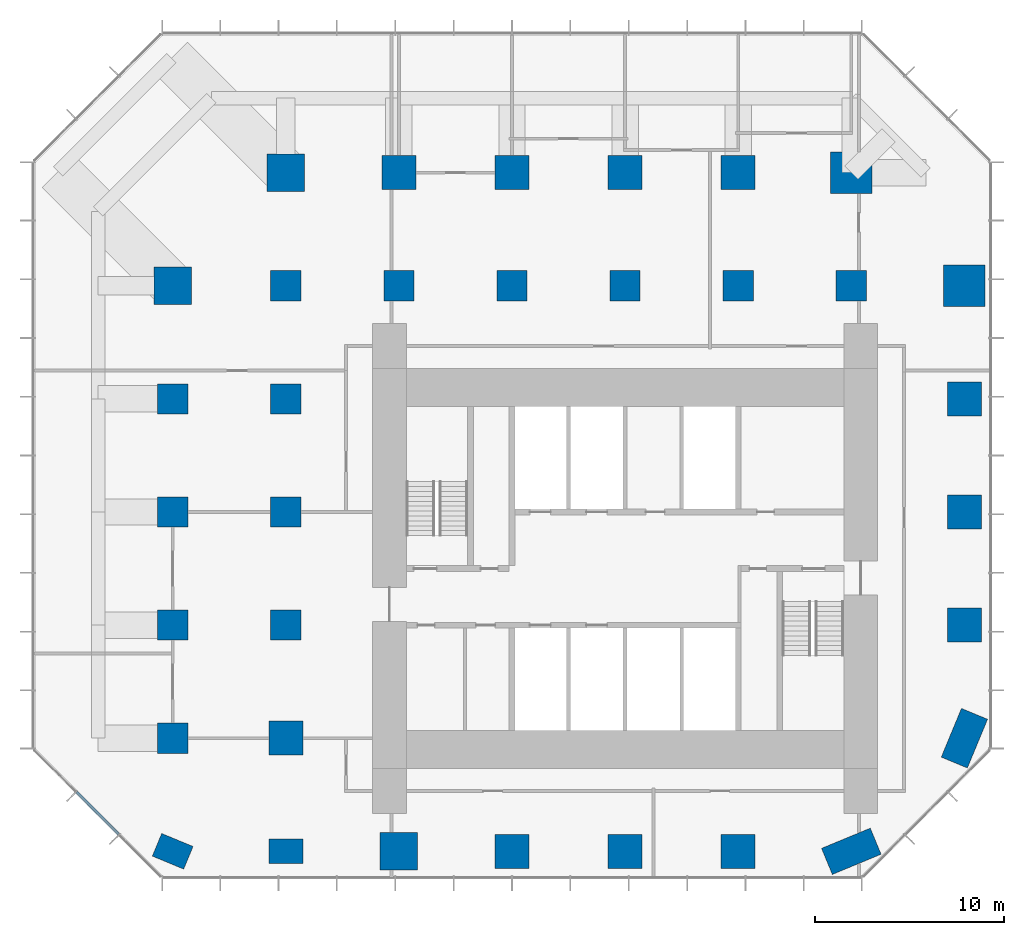
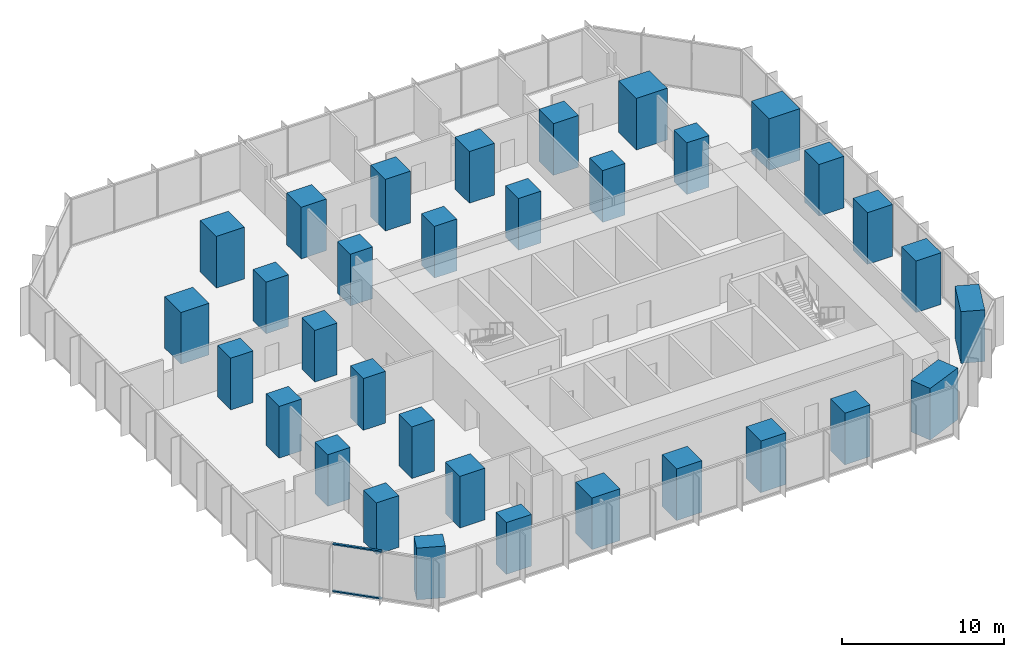
# One storey, part 1 of 11: 33 columns, 2 members, 1 element without a shape of its own.
"""IFC4 building model written with IfcOpenShell, lengths in metres."""

from ifc_helpers import new_model, si_unit, direction, frame, origin, origin_2d, place, context, subcontext, project, spatial, rectangle, extrude, material, layer, layer_set, material_profile, profile_set, type_object, element, aggregate, save


model = new_model("IFC4")

# Units and contexts
model_context = context("Model", 3, precision=1e-05, world=origin(), true_north=direction((0.0, 1.0)))
body_context = subcontext(model_context, "Body", "Model", "MODEL_VIEW")
ifc_project = project(units=[si_unit("LENGTHUNIT", "METRE"), si_unit("AREAUNIT", "SQUARE_METRE"), si_unit("VOLUMEUNIT", "CUBIC_METRE"), si_unit("PLANEANGLEUNIT", "RADIAN"), si_unit("MASSUNIT", "GRAM", prefix="KILO")], contexts=[model_context])

# Site, building, storey
site_placement = place(None, origin())
site = spatial("IfcSite", under=ifc_project, at=site_placement, CompositionType="ELEMENT")
building_placement = place(site_placement, origin())
building = spatial("IfcBuilding", under=site, at=building_placement, Name="Highveld Stack Headquarters", CompositionType="ELEMENT")
storey_placement = place(building_placement, frame((0.0, 0.0, 93.800048828125)))
storey = spatial("IfcBuildingStorey", under=building, at=storey_placement, Name="L22", CompositionType="ELEMENT", Elevation=93.800048828125)

# Columns
ifc_material_1 = material(Name="Concrete C60/75", Category="concrete")
ifc_material_profile_1 = material_profile(ifc_material_1, rectangle(XDim=1.60009765625, YDim=1.60009765625, at=origin_2d()), Name="RC 1600x1600")
ifc_profile_set_1 = profile_set([ifc_material_profile_1], Name="Concrete C60/75")
column_type_1 = type_object("IfcColumnType", Name="COLUMN RC 1600x1600 C60/75", PredefinedType="COLUMN", material=ifc_profile_set_1)
for number, where, z_axis, x_axis, name in (
    (1, (-18.0, -6.0, 0.0), (0.0, 0.0, 1.0), (1.0, 0.0, 0.0), "Column 3/D L22"),
    (2, (-18.0, 0.0, 0.0), (0.0, 0.0, 1.0), (1.0, 0.0, 0.0), "Column 3/E L22"),
    (3, (-18.0, 6.0, 0.0), (0.0, 0.0, 1.0), (1.0, 0.0, 0.0), "Column 3/F L22"),
    (4, (-18.0, 12.0, 0.0), (0.0, 0.0, 1.0), (1.0, 0.0, 0.0), "Column 3/G L22"),
    (5, (-12.0, 0.0, 0.0), (0.0, 0.0, 1.0), (1.0, 0.0, 0.0), "Column 4/E L22"),
    (6, (-12.0, 6.0, 0.0), (0.0, 0.0, 1.0), (1.0, 0.0, 0.0), "Column 4/F L22"),
    (7, (-12.0, 12.0, 0.0), (0.0, 0.0, 1.0), (1.0, 0.0, 0.0), "Column 4/G L22"),
    (8, (-12.0, 18.0, 0.0), (0.0, 0.0, 1.0), (1.0, 0.0, 0.0), "Column 4/H L22"),
    (9, (-6.0, 18.0, 0.0), (0.0, 0.0, 1.0), (1.0, 0.0, 0.0), "Column 5/H L22"),
    (10, (0.0, 18.0, 0.0), (0.0, 0.0, 1.0), (1.0, 0.0, 0.0), "Column 6/H L22"),
    (11, (6.0, 18.0, 0.0), (0.0, 0.0, 1.0), (1.0, 0.0, 0.0), "Column 7/H L22"),
    (12, (12.0, 18.0, 0.0), (0.0, 0.0, 1.0), (1.0, 0.0, 0.0), "Column 8/H L22"),
    (13, (18.0, 18.0, 0.0), (0.0, 0.0, 1.0), (1.0, 0.0, 0.0), "Column 9/H L22"),
):
    element("IfcColumn", number, at=place(storey_placement, frame(where, z_axis=z_axis, x_axis=x_axis)), inside=storey, type_object=column_type_1, Name=name, PredefinedType="COLUMN", context=body_context, shape_type="SweptSolid", body=[
        extrude(rectangle(XDim=1.60009765625, YDim=1.60009765625, at=origin_2d()), origin(), (0.0, 0.0, 1.0), 3.89990234375),
    ])
ifc_material_2 = material(Name="Concrete C60/75", Category="concrete")
ifc_material_profile_2 = material_profile(ifc_material_2, rectangle(XDim=1.800048828125, YDim=1.300048828125, at=origin_2d()), Name="RC 1800x1300")
ifc_profile_set_2 = profile_set([ifc_material_profile_2], Name="Concrete C60/75")
column_type_2 = type_object("IfcColumnType", Name="COLUMN RC 1800x1300 C60/75", PredefinedType="COLUMN", material=ifc_profile_set_2)
for number, where, z_axis, x_axis, name in (
    (14, (-18.0, -12.0, 0.0), (0.0, 0.0, 1.0), (-0.923879532511, 0.382683432365, 0.0), "Column 3/C L22"),
    (15, (-12.0, -12.0, 0.0), (0.0, 0.0, 1.0), (1.0, 0.0, 0.0), "Column 4/C L22"),
):
    element("IfcColumn", number, at=place(storey_placement, frame(where, z_axis=z_axis, x_axis=x_axis)), inside=storey, type_object=column_type_2, Name=name, PredefinedType="COLUMN", context=body_context, shape_type="SweptSolid", body=[
        extrude(rectangle(XDim=1.800048828125, YDim=1.300048828125, at=origin_2d()), origin(), (0.0, 0.0, 1.0), 3.89990234375),
    ])
ifc_material_3 = material(Name="Concrete C60/75", Category="concrete")
ifc_material_profile_3 = material_profile(ifc_material_3, rectangle(XDim=1.800048828125, YDim=1.800048828125, at=origin_2d()), Name="RC 1800x1800")
ifc_profile_set_3 = profile_set([ifc_material_profile_3], Name="Concrete C60/75")
column_type_3 = type_object("IfcColumnType", Name="COLUMN RC 1800x1800 C60/75", PredefinedType="COLUMN", material=ifc_profile_set_3)
for number, where, z_axis, x_axis, name in (
    (16, (-12.0, -6.0, 0.0), (0.0, 0.0, 1.0), (1.0, 0.0, 0.0), "Column 4/D L22"),
    (17, (-6.0, 24.0, 0.0), (0.0, 0.0, 1.0), (1.0, 0.0, 0.0), "Column 5/J L22"),
    (18, (0.0, -12.0, 0.0), (0.0, 0.0, 1.0), (1.0, 0.0, 0.0), "Column 6/C L22"),
    (19, (0.0, 24.0, 0.0), (0.0, 0.0, 1.0), (1.0, 0.0, 0.0), "Column 6/J L22"),
    (20, (6.0, -12.0, 0.0), (0.0, 0.0, 1.0), (1.0, 0.0, 0.0), "Column 7/C L22"),
    (21, (6.0, 24.0, 0.0), (0.0, 0.0, 1.0), (1.0, 0.0, 0.0), "Column 7/J L22"),
    (22, (12.0, -12.0, 0.0), (0.0, 0.0, 1.0), (1.0, 0.0, 0.0), "Column 8/C L22"),
    (23, (12.0, 24.0, 0.0), (0.0, 0.0, 1.0), (1.0, 0.0, 0.0), "Column 8/J L22"),
    (24, (24.0, 0.0, 0.0), (0.0, 0.0, 1.0), (1.0, 0.0, 0.0), "Column 10/E L22"),
    (25, (24.0, 6.0, 0.0), (0.0, 0.0, 1.0), (1.0, 0.0, 0.0), "Column 10/F L22"),
    (26, (24.0, 12.0, 0.0), (0.0, 0.0, 1.0), (1.0, 0.0, 0.0), "Column 10/G L22"),
):
    element("IfcColumn", number, at=place(storey_placement, frame(where, z_axis=z_axis, x_axis=x_axis)), inside=storey, type_object=column_type_3, Name=name, PredefinedType="COLUMN", context=body_context, shape_type="SweptSolid", body=[
        extrude(rectangle(XDim=1.800048828125, YDim=1.800048828125, at=origin_2d()), origin(), (0.0, 0.0, 1.0), 3.89990234375),
    ])
ifc_material_4 = material(Name="Concrete C60/75", Category="concrete")
ifc_material_profile_4 = material_profile(ifc_material_4, rectangle(XDim=2.0, YDim=2.0, at=origin_2d()), Name="RC 2000x2000")
ifc_profile_set_4 = profile_set([ifc_material_profile_4], Name="Concrete C60/75")
column_type_4 = type_object("IfcColumnType", Name="COLUMN RC 2000x2000 C60/75", PredefinedType="COLUMN", material=ifc_profile_set_4)
for number, where, z_axis, x_axis, name in (
    (27, (-18.0, 18.0, 0.0), (0.0, 0.0, 1.0), (1.0, 0.0, 0.0), "Column 3/H L22"),
    (28, (-12.0, 24.0, 0.0), (0.0, 0.0, 1.0), (1.0, 0.0, 0.0), "Column 4/J L22"),
    (29, (-6.0, -12.0, 0.0), (0.0, 0.0, 1.0), (1.0, 0.0, 0.0), "Column 5/C L22"),
):
    element("IfcColumn", number, at=place(storey_placement, frame(where, z_axis=z_axis, x_axis=x_axis)), inside=storey, type_object=column_type_4, Name=name, PredefinedType="COLUMN", context=body_context, shape_type="SweptSolid", body=[
        extrude(rectangle(XDim=2.0, YDim=2.0, at=origin_2d()), origin(), (0.0, 0.0, 1.0), 3.89990234375),
    ])
ifc_material_5 = material(Name="Concrete C60/75", Category="concrete")
ifc_material_profile_5 = material_profile(ifc_material_5, rectangle(XDim=2.199951171875, YDim=2.199951171875, at=origin_2d()), Name="RC 2200x2200")
ifc_profile_set_5 = profile_set([ifc_material_profile_5], Name="Concrete C60/75")
column_type_5 = type_object("IfcColumnType", Name="COLUMN RC 2200x2200 C60/75", PredefinedType="COLUMN", material=ifc_profile_set_5)
for number, where, z_axis, x_axis, name in (
    (30, (18.0, 24.0, 0.0), (0.0, 0.0, 1.0), (1.0, 0.0, 0.0), "Column 9/J L22"),
    (31, (24.0, 18.0, 0.0), (0.0, 0.0, 1.0), (1.0, 0.0, 0.0), "Column 10/H L22"),
):
    element("IfcColumn", number, at=place(storey_placement, frame(where, z_axis=z_axis, x_axis=x_axis)), inside=storey, type_object=column_type_5, Name=name, PredefinedType="COLUMN", context=body_context, shape_type="SweptSolid", body=[
        extrude(rectangle(XDim=2.199951171875, YDim=2.199951171875, at=origin_2d()), origin(), (0.0, 0.0, 1.0), 3.89990234375),
    ])
ifc_material_6 = material(Name="Concrete C60/75", Category="concrete")
ifc_material_profile_6 = material_profile(ifc_material_6, rectangle(XDim=2.800048828125, YDim=1.5, at=origin_2d()), Name="RC 2800x1500")
ifc_profile_set_6 = profile_set([ifc_material_profile_6], Name="Concrete C60/75")
column_type_6 = type_object("IfcColumnType", Name="COLUMN RC 2800x1500 C60/75", PredefinedType="COLUMN", material=ifc_profile_set_6)
for number, where, z_axis, x_axis, name in (
    (32, (18.0, -12.0, 0.0), (0.0, 0.0, 1.0), (-0.923879532511, -0.382683432365, 0.0), "Column 9/C L22"),
    (33, (24.0, -6.0, 0.0), (0.0, 0.0, 1.0), (-0.382683432365, -0.923879532511, 0.0), "Column 10/D L22"),
):
    element("IfcColumn", number, at=place(storey_placement, frame(where, z_axis=z_axis, x_axis=x_axis)), inside=storey, type_object=column_type_6, Name=name, PredefinedType="COLUMN", context=body_context, shape_type="SweptSolid", body=[
        extrude(rectangle(XDim=2.800048828125, YDim=1.5, at=origin_2d()), origin(), (0.0, 0.0, 1.0), 3.89990234375),
    ])

# Curtain wall, members
ifc_material_7 = material(Name="Aluminium bronze anodised", Category="aluminium")
ifc_layer = layer(ifc_material_7, 0.199951171875)
ifc_layer_set = layer_set([ifc_layer], Name="Aluminium bronze anodised")
curtain_wall_type = type_object("IfcCurtainWallType", Name="CW6 SKY LOBBY UNITISED CURTAIN WALL", PredefinedType="NOTDEFINED", material=ifc_layer_set)
curtain_wall_placement = place(storey_placement, origin())
curtain_wall = element("IfcCurtainWall", 34, at=curtain_wall_placement, inside=storey, type_object=curtain_wall_type, Name="Curtain wall CW6 L22 SW", PredefinedType="NOTDEFINED")
ifc_material_8 = material(Name="Aluminium bronze anodised", Category="aluminium")
ifc_material_profile_7 = material_profile(ifc_material_8, rectangle(XDim=0.14990234375, YDim=0.10009765625, at=origin_2d()), Name="CW6 TRANSOM 150x100")
ifc_profile_set_7 = profile_set([ifc_material_profile_7], Name="Aluminium bronze anodised")
member_type = type_object("IfcMemberType", Name="CW6 STACK TRANSOM 150x100", PredefinedType="USERDEFINED", material=ifc_profile_set_7)
member_1_placement = place(storey_placement, frame((-23.103759765625, -8.876220703125, 0.050048828125), z_axis=(0.707106781187, -0.707106781187, 0.0), x_axis=(0.707106781187, 0.707106781187, 0.0)))
member_1 = element("IfcMember", 35, at=member_1_placement, type_object=member_type, Name="CW6 transom L22 2.1", ObjectType="TRANSOM", PredefinedType="USERDEFINED", context=body_context, shape_type="SweptSolid", body=[
    extrude(rectangle(XDim=0.14990234375, YDim=0.10009765625, at=origin_2d()), origin(), (0.0, 0.0, 1.0), 3.150146484375),
])
member_2_placement = place(storey_placement, frame((-23.103759765625, -8.876220703125, 3.599853515625), z_axis=(0.707106781187, -0.707106781187, 0.0), x_axis=(0.707106781187, 0.707106781187, 0.0)))
member_2 = element("IfcMember", 36, at=member_2_placement, type_object=member_type, Name="CW6 transom L22 2.2", ObjectType="TRANSOM", PredefinedType="USERDEFINED", context=body_context, shape_type="SweptSolid", body=[
    extrude(rectangle(XDim=0.14990234375, YDim=0.10009765625, at=origin_2d()), origin(), (0.0, 0.0, 1.0), 3.150146484375),
])
aggregate(curtain_wall, [member_1, member_2])

save(model, "model.ifc")
